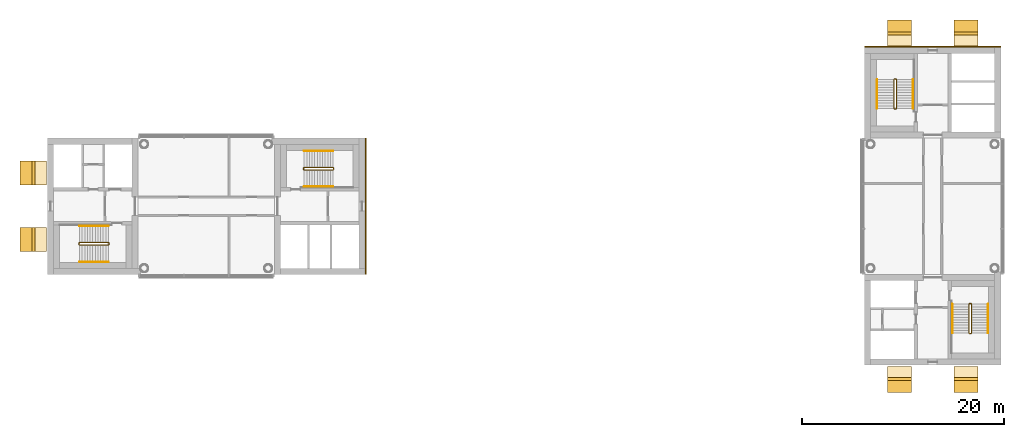
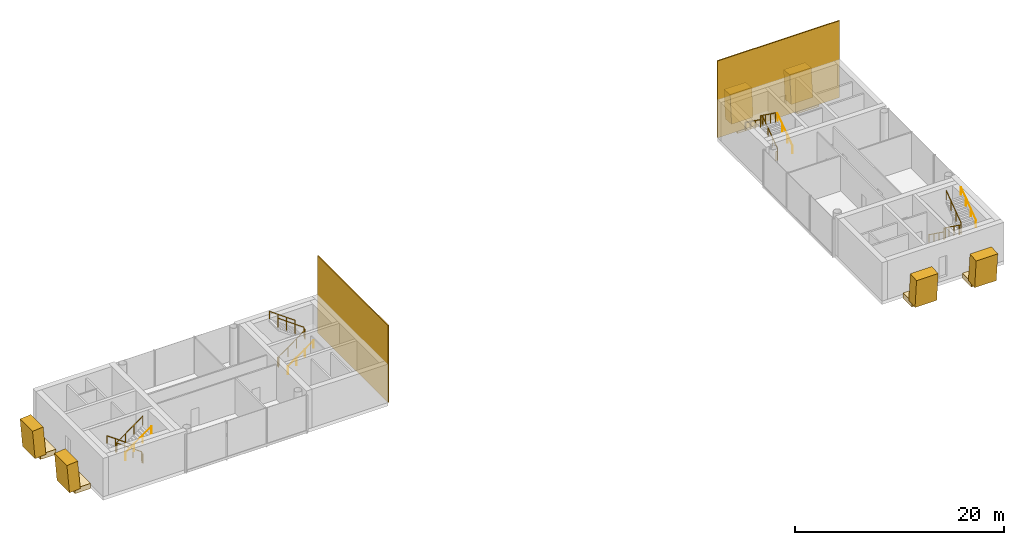
# One storey, part 11 of 11: 14 coverings, 12 railings.
"""IFC4 building model written with IfcOpenShell, lengths in metres."""

from ifc_helpers import new_model, si_unit, direction, frame, origin, origin_2d, place, context, subcontext, project, spatial, rectangle, circle, extrude, material, layer, layer_set, material_profile, profile_set, type_object, element, save


model = new_model("IFC4")

# Units and contexts
model_context = context("Model", 3, precision=1e-05, world=origin(), true_north=direction((0.0, 1.0)))
body_context = subcontext(model_context, "Body", "Model", "MODEL_VIEW")
ifc_project = project(units=[si_unit("LENGTHUNIT", "METRE"), si_unit("AREAUNIT", "SQUARE_METRE"), si_unit("VOLUMEUNIT", "CUBIC_METRE"), si_unit("PLANEANGLEUNIT", "RADIAN"), si_unit("MASSUNIT", "GRAM", prefix="KILO")], contexts=[model_context])

# Site, building, storey
site_placement = place(None, origin())
site = spatial("IfcSite", under=ifc_project, at=site_placement, CompositionType="ELEMENT")
building_placement = place(site_placement, origin())
building = spatial("IfcBuilding", under=site, at=building_placement, Name="Ipe Terrace Towers", CompositionType="ELEMENT")
storey_placement = place(building_placement, frame((0.0, 0.0, 251.39990234375)))
storey = spatial("IfcBuildingStorey", under=building, at=storey_placement, Name="L69", CompositionType="ELEMENT", Elevation=251.39990234375)

# Coverings
ifc_material_1 = material(Name="Concrete C50/60 precast, buff finish", Category="concrete")
ifc_layer = layer(ifc_material_1, 0.1201171875)
ifc_layer_set = layer_set([ifc_layer], Name="STONE CORE CLADDING 120")
covering_type_1 = type_object("IfcCoveringType", Name="STONE CORE CLADDING 120", PredefinedType="CLADDING", material=ifc_layer_set)
for number, where, z_axis, x_axis, name in (
    (1, (-20.18994140625, 0.0, 0.0), (0.0, 0.0, 1.0), (0.0, 1.0, 0.0), "stone core cladding"),
    (2, (36.0, 15.81005859375, 0.0), (0.0, 0.0, 1.0), (-1.0, 0.0, 0.0), "stone core cladding"),
):
    element("IfcCovering", number, at=place(storey_placement, frame(where, z_axis=z_axis, x_axis=x_axis)), inside=storey, type_object=covering_type_1, Name=name, PredefinedType="CLADDING", context=body_context, shape_type="SweptSolid", body=[
        extrude(rectangle(XDim=13.5, YDim=0.1201171875, at=origin_2d()), origin(), (0.0, 0.0, 1.0), 9.0),
    ])
ifc_material_2 = material(Name="Concrete C50/60 precast, buff finish", Category="concrete")
ifc_material_profile = material_profile(ifc_material_2, rectangle(XDim=2.39990234375, YDim=1.199951171875, at=origin_2d()), Name="STONE FIN 2400 x 1200")
ifc_profile_set = profile_set([ifc_material_profile], Name="Concrete C50/60 precast, buff finish")
covering_type_2 = type_object("IfcCoveringType", Name="STONE FIN 2400 x 1200", PredefinedType="USERDEFINED", material=ifc_profile_set)
for number, where, z_axis, x_axis, name in (
    (3, (-53.5849609375, -3.300048828125, 0.0), (-0.086088906683, 0.0, 0.996287458591), (0.0, -1.0, 0.0), "stone fin"),
    (4, (-53.5849609375, 3.300048828125, 0.0), (-0.086088906683, 0.0, 0.996287458591), (0.0, -1.0, 0.0), "stone fin"),
    (5, (32.699951171875, -17.5849609375, 0.0), (0.0, -0.086088906683, 0.996287458591), (1.0, 0.0, 0.0), "stone fin"),
    (6, (32.699951171875, 17.5849609375, 0.0), (0.0, 0.086088906683, 0.996287458591), (-1.0, 0.0, 0.0), "stone fin"),
    (7, (39.300048828125, -17.5849609375, 0.0), (0.0, -0.086088906683, 0.996287458591), (1.0, 0.0, 0.0), "stone fin"),
    (8, (39.300048828125, 17.5849609375, 0.0), (0.0, 0.086088906683, 0.996287458591), (-1.0, 0.0, 0.0), "stone fin"),
):
    element("IfcCovering", number, at=place(storey_placement, frame(where, z_axis=z_axis, x_axis=x_axis)), inside=storey, type_object=covering_type_2, Name=name, ObjectType="FIN", PredefinedType="USERDEFINED", context=body_context, shape_type="SweptSolid", body=[
        extrude(rectangle(XDim=2.39990234375, YDim=1.199951171875, at=origin_2d()), origin(), (0.0, 0.0, 1.0), 3.312255859375),
    ])
ifc_material_3 = material(Name="Concrete C50/60 precast, buff finish", Category="concrete")
covering_type_3 = type_object("IfcCoveringType", Name="STONE FIN SHELF 2400 x 600", PredefinedType="CLADDING", material=ifc_material_3)
for number, where, z_axis, x_axis, name in (
    (9, (-52.722900390625, -3.300048828125, -0.349853515625), (0.0, 0.0, 1.0), (0.0, -1.0, 0.0), "stone fin shelf"),
    (10, (-52.722900390625, 3.300048828125, -0.349853515625), (0.0, 0.0, 1.0), (0.0, -1.0, 0.0), "stone fin shelf"),
    (11, (32.699951171875, -16.722900390625, -0.349853515625), (0.0, 0.0, 1.0), (1.0, 0.0, 0.0), "stone fin shelf"),
    (12, (32.699951171875, 16.722900390625, -0.349853515625), (0.0, 0.0, 1.0), (-1.0, 0.0, 0.0), "stone fin shelf"),
    (13, (39.300048828125, -16.722900390625, -0.349853515625), (0.0, 0.0, 1.0), (1.0, 0.0, 0.0), "stone fin shelf"),
    (14, (39.300048828125, 16.722900390625, -0.349853515625), (0.0, 0.0, 1.0), (-1.0, 0.0, 0.0), "stone fin shelf"),
):
    element("IfcCovering", number, at=place(storey_placement, frame(where, z_axis=z_axis, x_axis=x_axis)), inside=storey, type_object=covering_type_3, Name=name, PredefinedType="CLADDING", context=body_context, shape_type="SweptSolid", body=[
        extrude(rectangle(XDim=2.39990234375, YDim=1.72509765625, at=origin_2d()), origin(), (0.0, 0.0, 1.0), 0.60009765625),
    ])

# Railings
ifc_material_4 = material(Name="Steel S355", Category="steel")
railing_type_1 = type_object("IfcRailingType", Name="Stair guard 1100", PredefinedType="GUARDRAIL", material=ifc_material_4)
railing_1_placement = place(storey_placement, frame((-26.35009765625, 3.800048828125, 0.0)))
element("IfcRailing", 15, at=railing_1_placement, inside=storey, type_object=railing_type_1, Name="L69 T1-ST1 stair guard 1", PredefinedType="GUARDRAIL", context=body_context, shape_type="SweptSolid", body=[
    extrude(circle(Radius=0.02392578125, at=origin_2d()), frame((0.0, 0.0, 1.076171875), z_axis=(0.0, -1.0, 0.0), x_axis=(1.0, 0.0, 0.0)), (0.0, 0.0, 1.0), 0.150146484375),
    extrude(circle(Radius=0.02392578125, at=origin_2d()), frame((0.0, -0.150146484375, 1.076171875), z_axis=(0.249802250048, -0.248583702486, 0.935844527007), x_axis=(0.705375805398, 0.708833529934, 0.0)), (0.0, 0.0, 1.0), 0.200439453125),
    extrude(circle(Radius=0.02392578125, at=origin_2d()), frame((0.050048828125, -0.199951171875, 1.263671875), z_axis=(0.811100754333, 0.0, 0.584906459462), x_axis=(0.0, 1.0, 0.0)), (0.0, 0.0, 1.0), 3.526123046875),
    extrude(circle(Radius=0.02392578125, at=origin_2d()), frame((2.91015625, -0.199951171875, 3.326171875), z_axis=(0.708833529934, 0.705375805398, 0.0), x_axis=(-0.705375805398, 0.708833529934, 0.0)), (0.0, 0.0, 1.0), 0.070556640625),
    extrude(circle(Radius=0.02392578125, at=origin_2d()), frame((2.960205078125, -0.150146484375, 3.326171875), z_axis=(0.0, 1.0, 0.0), x_axis=(-1.0, 0.0, 0.0)), (0.0, 0.0, 1.0), 0.150146484375),
    extrude(circle(Radius=0.02392578125, at=origin_2d()), frame((2.960205078125, 0.0, 3.326171875), z_axis=(-0.249726431254, 0.249726431254, 0.935560483917), x_axis=(-0.707106781187, -0.707106781187, 0.0)), (0.0, 0.0, 1.0), 0.200439453125),
    extrude(circle(Radius=0.02392578125, at=origin_2d()), frame((2.91015625, 0.050048828125, 3.513671875), z_axis=(-0.811100754333, 0.0, 0.584906459462), x_axis=(0.0, -1.0, 0.0)), (0.0, 0.0, 1.0), 3.526123046875),
    extrude(circle(Radius=0.02099609375, at=origin_2d()), origin(), (0.0, 0.0, 1.0), 1.052001953125),
    extrude(circle(Radius=0.02099609375, at=origin_2d()), frame((0.0, -0.150146484375, 0.0)), (0.0, 0.0, 1.0), 1.052001953125),
    extrude(circle(Radius=0.02099609375, at=origin_2d()), frame((0.050048828125, -0.199951171875, 0.1875)), (0.0, 0.0, 1.0), 1.052001953125),
    extrude(circle(Radius=0.02099609375, at=origin_2d()), frame((1.00341796875, -0.199951171875, 0.875)), (0.0, 0.0, 1.0), 1.052001953125),
    extrude(circle(Radius=0.02099609375, at=origin_2d()), frame((1.956787109375, -0.199951171875, 1.5625)), (0.0, 0.0, 1.0), 1.052001953125),
    extrude(circle(Radius=0.02099609375, at=origin_2d()), frame((2.91015625, -0.199951171875, 2.25)), (0.0, 0.0, 1.0), 1.052001953125),
    extrude(circle(Radius=0.02099609375, at=origin_2d()), frame((2.960205078125, -0.150146484375, 2.25)), (0.0, 0.0, 1.0), 1.052001953125),
    extrude(circle(Radius=0.02099609375, at=origin_2d()), frame((2.960205078125, 0.0, 2.25)), (0.0, 0.0, 1.0), 1.052001953125),
    extrude(circle(Radius=0.02099609375, at=origin_2d()), frame((2.91015625, 0.050048828125, 2.4375)), (0.0, 0.0, 1.0), 1.052001953125),
    extrude(circle(Radius=0.02099609375, at=origin_2d()), frame((1.956787109375, 0.050048828125, 3.125)), (0.0, 0.0, 1.0), 1.052001953125),
    extrude(circle(Radius=0.02099609375, at=origin_2d()), frame((1.00341796875, 0.050048828125, 3.8125)), (0.0, 0.0, 1.0), 1.052001953125),
    extrude(circle(Radius=0.02099609375, at=origin_2d()), frame((0.050048828125, 0.050048828125, 4.5)), (0.0, 0.0, 1.0), 1.052001953125),
])
railing_2_placement = place(storey_placement, frame((-45.64990234375, -3.800048828125, 0.0)))
element("IfcRailing", 16, at=railing_2_placement, inside=storey, type_object=railing_type_1, Name="L69 T1-ST2 stair guard 1", PredefinedType="GUARDRAIL", context=body_context, shape_type="SweptSolid", body=[
    extrude(circle(Radius=0.02392578125, at=origin_2d()), frame((0.0, 0.0, 1.076171875), z_axis=(0.0, 1.0, 0.0), x_axis=(-1.0, 0.0, 0.0)), (0.0, 0.0, 1.0), 0.150146484375),
    extrude(circle(Radius=0.02392578125, at=origin_2d()), frame((0.0, 0.150146484375, 1.076171875), z_axis=(-0.249802250048, 0.248583702486, 0.935844527007), x_axis=(-0.705375805398, -0.708833529934, 0.0)), (0.0, 0.0, 1.0), 0.200439453125),
    extrude(circle(Radius=0.02392578125, at=origin_2d()), frame((-0.050048828125, 0.199951171875, 1.263671875), z_axis=(-0.811100754333, 0.0, 0.584906459462), x_axis=(0.0, -1.0, 0.0)), (0.0, 0.0, 1.0), 3.526123046875),
    extrude(circle(Radius=0.02392578125, at=origin_2d()), frame((-2.91015625, 0.199951171875, 3.326171875), z_axis=(-0.708833529934, -0.705375805398, 0.0), x_axis=(0.705375805398, -0.708833529934, 0.0)), (0.0, 0.0, 1.0), 0.070556640625),
    extrude(circle(Radius=0.02392578125, at=origin_2d()), frame((-2.960205078125, 0.150146484375, 3.326171875), z_axis=(0.0, -1.0, 0.0), x_axis=(1.0, 0.0, 0.0)), (0.0, 0.0, 1.0), 0.150146484375),
    extrude(circle(Radius=0.02392578125, at=origin_2d()), frame((-2.960205078125, 0.0, 3.326171875), z_axis=(0.249726431254, -0.249726431254, 0.935560483917), x_axis=(0.707106781187, 0.707106781187, 0.0)), (0.0, 0.0, 1.0), 0.200439453125),
    extrude(circle(Radius=0.02392578125, at=origin_2d()), frame((-2.91015625, -0.050048828125, 3.513671875), z_axis=(0.811100754333, 0.0, 0.584906459462), x_axis=(0.0, 1.0, 0.0)), (0.0, 0.0, 1.0), 3.526123046875),
    extrude(circle(Radius=0.02099609375, at=origin_2d()), origin(), (0.0, 0.0, 1.0), 1.052001953125),
    extrude(circle(Radius=0.02099609375, at=origin_2d()), frame((0.0, 0.150146484375, 0.0)), (0.0, 0.0, 1.0), 1.052001953125),
    extrude(circle(Radius=0.02099609375, at=origin_2d()), frame((-0.050048828125, 0.199951171875, 0.1875)), (0.0, 0.0, 1.0), 1.052001953125),
    extrude(circle(Radius=0.02099609375, at=origin_2d()), frame((-1.00341796875, 0.199951171875, 0.875)), (0.0, 0.0, 1.0), 1.052001953125),
    extrude(circle(Radius=0.02099609375, at=origin_2d()), frame((-1.956787109375, 0.199951171875, 1.5625)), (0.0, 0.0, 1.0), 1.052001953125),
    extrude(circle(Radius=0.02099609375, at=origin_2d()), frame((-2.91015625, 0.199951171875, 2.25)), (0.0, 0.0, 1.0), 1.052001953125),
    extrude(circle(Radius=0.02099609375, at=origin_2d()), frame((-2.960205078125, 0.150146484375, 2.25)), (0.0, 0.0, 1.0), 1.052001953125),
    extrude(circle(Radius=0.02099609375, at=origin_2d()), frame((-2.960205078125, 0.0, 2.25)), (0.0, 0.0, 1.0), 1.052001953125),
    extrude(circle(Radius=0.02099609375, at=origin_2d()), frame((-2.91015625, -0.050048828125, 2.4375)), (0.0, 0.0, 1.0), 1.052001953125),
    extrude(circle(Radius=0.02099609375, at=origin_2d()), frame((-1.956787109375, -0.050048828125, 3.125)), (0.0, 0.0, 1.0), 1.052001953125),
    extrude(circle(Radius=0.02099609375, at=origin_2d()), frame((-1.00341796875, -0.050048828125, 3.8125)), (0.0, 0.0, 1.0), 1.052001953125),
    extrude(circle(Radius=0.02099609375, at=origin_2d()), frame((-0.050048828125, -0.050048828125, 4.5)), (0.0, 0.0, 1.0), 1.052001953125),
])
railing_3_placement = place(storey_placement, frame((32.199951171875, 9.64990234375, 0.0)))
element("IfcRailing", 17, at=railing_3_placement, inside=storey, type_object=railing_type_1, Name="L69 T2-ST1 stair guard 1", PredefinedType="GUARDRAIL", context=body_context, shape_type="SweptSolid", body=[
    extrude(circle(Radius=0.02392578125, at=origin_2d()), frame((0.0, 0.0, 1.076171875), z_axis=(1.0, 0.0, 0.0), x_axis=(0.0, 1.0, 0.0)), (0.0, 0.0, 1.0), 0.150146484375),
    extrude(circle(Radius=0.02392578125, at=origin_2d()), frame((0.150146484375, 0.0, 1.076171875), z_axis=(0.248583702486, 0.249802250048, 0.935844527007), x_axis=(-0.708833529934, 0.705375805398, 0.0)), (0.0, 0.0, 1.0), 0.200439453125),
    extrude(circle(Radius=0.02392578125, at=origin_2d()), frame((0.199951171875, 0.050048828125, 1.263671875), z_axis=(0.0, 0.811100754333, 0.584906459462), x_axis=(-1.0, 0.0, 0.0)), (0.0, 0.0, 1.0), 3.526123046875),
    extrude(circle(Radius=0.02392578125, at=origin_2d()), frame((0.199951171875, 2.91015625, 3.326171875), z_axis=(-0.705375805398, 0.708833529934, 0.0), x_axis=(-0.708833529934, -0.705375805398, 0.0)), (0.0, 0.0, 1.0), 0.070556640625),
    extrude(circle(Radius=0.02392578125, at=origin_2d()), frame((0.150146484375, 2.960205078125, 3.326171875), z_axis=(-1.0, 0.0, 0.0), x_axis=(0.0, -1.0, 0.0)), (0.0, 0.0, 1.0), 0.150146484375),
    extrude(circle(Radius=0.02392578125, at=origin_2d()), frame((0.0, 2.960205078125, 3.326171875), z_axis=(-0.249726431254, -0.249726431254, 0.935560483917), x_axis=(0.707106781187, -0.707106781187, 0.0)), (0.0, 0.0, 1.0), 0.200439453125),
    extrude(circle(Radius=0.02392578125, at=origin_2d()), frame((-0.050048828125, 2.91015625, 3.513671875), z_axis=(0.0, -0.811100754333, 0.584906459462), x_axis=(1.0, 0.0, 0.0)), (0.0, 0.0, 1.0), 3.526123046875),
    extrude(circle(Radius=0.02099609375, at=origin_2d()), origin(), (0.0, 0.0, 1.0), 1.052001953125),
    extrude(circle(Radius=0.02099609375, at=origin_2d()), frame((0.150146484375, 0.0, 0.0)), (0.0, 0.0, 1.0), 1.052001953125),
    extrude(circle(Radius=0.02099609375, at=origin_2d()), frame((0.199951171875, 0.050048828125, 0.1875)), (0.0, 0.0, 1.0), 1.052001953125),
    extrude(circle(Radius=0.02099609375, at=origin_2d()), frame((0.199951171875, 1.00341796875, 0.875)), (0.0, 0.0, 1.0), 1.052001953125),
    extrude(circle(Radius=0.02099609375, at=origin_2d()), frame((0.199951171875, 1.956787109375, 1.5625)), (0.0, 0.0, 1.0), 1.052001953125),
    extrude(circle(Radius=0.02099609375, at=origin_2d()), frame((0.199951171875, 2.91015625, 2.25)), (0.0, 0.0, 1.0), 1.052001953125),
    extrude(circle(Radius=0.02099609375, at=origin_2d()), frame((0.150146484375, 2.960205078125, 2.25)), (0.0, 0.0, 1.0), 1.052001953125),
    extrude(circle(Radius=0.02099609375, at=origin_2d()), frame((0.0, 2.960205078125, 2.25)), (0.0, 0.0, 1.0), 1.052001953125),
    extrude(circle(Radius=0.02099609375, at=origin_2d()), frame((-0.050048828125, 2.91015625, 2.4375)), (0.0, 0.0, 1.0), 1.052001953125),
    extrude(circle(Radius=0.02099609375, at=origin_2d()), frame((-0.050048828125, 1.956787109375, 3.125)), (0.0, 0.0, 1.0), 1.052001953125),
    extrude(circle(Radius=0.02099609375, at=origin_2d()), frame((-0.050048828125, 1.00341796875, 3.8125)), (0.0, 0.0, 1.0), 1.052001953125),
    extrude(circle(Radius=0.02099609375, at=origin_2d()), frame((-0.050048828125, 0.050048828125, 4.5)), (0.0, 0.0, 1.0), 1.052001953125),
])
railing_4_placement = place(storey_placement, frame((39.800048828125, -9.64990234375, 0.0)))
element("IfcRailing", 18, at=railing_4_placement, inside=storey, type_object=railing_type_1, Name="L69 T2-ST2 stair guard 1", PredefinedType="GUARDRAIL", context=body_context, shape_type="SweptSolid", body=[
    extrude(circle(Radius=0.02392578125, at=origin_2d()), frame((0.0, 0.0, 1.076171875), z_axis=(-1.0, 0.0, 0.0), x_axis=(0.0, -1.0, 0.0)), (0.0, 0.0, 1.0), 0.150146484375),
    extrude(circle(Radius=0.02392578125, at=origin_2d()), frame((-0.150146484375, 0.0, 1.076171875), z_axis=(-0.248583702486, -0.249802250048, 0.935844527007), x_axis=(0.708833529934, -0.705375805398, 0.0)), (0.0, 0.0, 1.0), 0.200439453125),
    extrude(circle(Radius=0.02392578125, at=origin_2d()), frame((-0.199951171875, -0.050048828125, 1.263671875), z_axis=(0.0, -0.811100754333, 0.584906459462), x_axis=(1.0, 0.0, 0.0)), (0.0, 0.0, 1.0), 3.526123046875),
    extrude(circle(Radius=0.02392578125, at=origin_2d()), frame((-0.199951171875, -2.91015625, 3.326171875), z_axis=(0.705375805398, -0.708833529934, 0.0), x_axis=(0.708833529934, 0.705375805398, 0.0)), (0.0, 0.0, 1.0), 0.070556640625),
    extrude(circle(Radius=0.02392578125, at=origin_2d()), frame((-0.150146484375, -2.960205078125, 3.326171875), z_axis=(1.0, 0.0, 0.0), x_axis=(0.0, 1.0, 0.0)), (0.0, 0.0, 1.0), 0.150146484375),
    extrude(circle(Radius=0.02392578125, at=origin_2d()), frame((0.0, -2.960205078125, 3.326171875), z_axis=(0.249726431254, 0.249726431254, 0.935560483917), x_axis=(-0.707106781187, 0.707106781187, 0.0)), (0.0, 0.0, 1.0), 0.200439453125),
    extrude(circle(Radius=0.02392578125, at=origin_2d()), frame((0.050048828125, -2.91015625, 3.513671875), z_axis=(0.0, 0.811100754333, 0.584906459462), x_axis=(-1.0, 0.0, 0.0)), (0.0, 0.0, 1.0), 3.526123046875),
    extrude(circle(Radius=0.02099609375, at=origin_2d()), origin(), (0.0, 0.0, 1.0), 1.052001953125),
    extrude(circle(Radius=0.02099609375, at=origin_2d()), frame((-0.150146484375, 0.0, 0.0)), (0.0, 0.0, 1.0), 1.052001953125),
    extrude(circle(Radius=0.02099609375, at=origin_2d()), frame((-0.199951171875, -0.050048828125, 0.1875)), (0.0, 0.0, 1.0), 1.052001953125),
    extrude(circle(Radius=0.02099609375, at=origin_2d()), frame((-0.199951171875, -1.00341796875, 0.875)), (0.0, 0.0, 1.0), 1.052001953125),
    extrude(circle(Radius=0.02099609375, at=origin_2d()), frame((-0.199951171875, -1.956787109375, 1.5625)), (0.0, 0.0, 1.0), 1.052001953125),
    extrude(circle(Radius=0.02099609375, at=origin_2d()), frame((-0.199951171875, -2.91015625, 2.25)), (0.0, 0.0, 1.0), 1.052001953125),
    extrude(circle(Radius=0.02099609375, at=origin_2d()), frame((-0.150146484375, -2.960205078125, 2.25)), (0.0, 0.0, 1.0), 1.052001953125),
    extrude(circle(Radius=0.02099609375, at=origin_2d()), frame((0.0, -2.960205078125, 2.25)), (0.0, 0.0, 1.0), 1.052001953125),
    extrude(circle(Radius=0.02099609375, at=origin_2d()), frame((0.050048828125, -2.91015625, 2.4375)), (0.0, 0.0, 1.0), 1.052001953125),
    extrude(circle(Radius=0.02099609375, at=origin_2d()), frame((0.050048828125, -1.956787109375, 3.125)), (0.0, 0.0, 1.0), 1.052001953125),
    extrude(circle(Radius=0.02099609375, at=origin_2d()), frame((0.050048828125, -1.00341796875, 3.8125)), (0.0, 0.0, 1.0), 1.052001953125),
    extrude(circle(Radius=0.02099609375, at=origin_2d()), frame((0.050048828125, -0.050048828125, 4.5)), (0.0, 0.0, 1.0), 1.052001953125),
])
ifc_material_5 = material(Name="Stainless steel grade 304", Category="steel")
railing_type_2 = type_object("IfcRailingType", Name="Stair handrail 900", PredefinedType="HANDRAIL", material=ifc_material_5)
railing_5_placement = place(storey_placement, frame((-26.300048828125, 1.949951171875, 0.1875)))
element("IfcRailing", 19, at=railing_5_placement, inside=storey, type_object=railing_type_2, Name="L69 T1-ST1 stair handrail 1", PredefinedType="HANDRAIL", context=body_context, shape_type="SweptSolid", body=[
    extrude(circle(Radius=0.02392578125, at=origin_2d()), frame((0.0, 0.0, 0.8759765625), z_axis=(0.811100754333, 0.0, 0.584906459462), x_axis=(0.0, 1.0, 0.0)), (0.0, 0.0, 1.0), 3.526123046875),
    extrude(circle(Radius=0.02099609375, at=origin_2d()), origin(), (0.0, 0.0, 1.0), 0.851806640625),
    extrude(circle(Radius=0.02099609375, at=origin_2d()), frame((0.953369140625, 0.0, 0.6875)), (0.0, 0.0, 1.0), 0.851806640625),
    extrude(circle(Radius=0.02099609375, at=origin_2d()), frame((1.90673828125, 0.0, 1.375)), (0.0, 0.0, 1.0), 0.851806640625),
    extrude(circle(Radius=0.02099609375, at=origin_2d()), frame((2.860107421875, 0.0, 2.0625)), (0.0, 0.0, 1.0), 0.851806640625),
])
for number, where, name in (
    (20, (-23.43994140625, 5.5, 2.4375), "L69 T1-ST1 stair handrail 2"),
    (21, (-45.699951171875, -1.949951171875, 0.1875), "L69 T1-ST2 stair handrail 1"),
):
    element("IfcRailing", number, at=place(storey_placement, frame(where)), inside=storey, type_object=railing_type_2, Name=name, PredefinedType="HANDRAIL", context=body_context, shape_type="SweptSolid", body=[
        extrude(circle(Radius=0.02392578125, at=origin_2d()), frame((0.0, 0.0, 0.8759765625), z_axis=(-0.811100754333, 0.0, 0.584906459462), x_axis=(0.0, -1.0, 0.0)), (0.0, 0.0, 1.0), 3.526123046875),
        extrude(circle(Radius=0.02099609375, at=origin_2d()), origin(), (0.0, 0.0, 1.0), 0.851806640625),
        extrude(circle(Radius=0.02099609375, at=origin_2d()), frame((-0.953369140625, 0.0, 0.6875)), (0.0, 0.0, 1.0), 0.851806640625),
        extrude(circle(Radius=0.02099609375, at=origin_2d()), frame((-1.90673828125, 0.0, 1.375)), (0.0, 0.0, 1.0), 0.851806640625),
        extrude(circle(Radius=0.02099609375, at=origin_2d()), frame((-2.860107421875, 0.0, 2.0625)), (0.0, 0.0, 1.0), 0.851806640625),
    ])
railing_6_placement = place(storey_placement, frame((-48.56005859375, -5.5, 2.4375)))
element("IfcRailing", 22, at=railing_6_placement, inside=storey, type_object=railing_type_2, Name="L69 T1-ST2 stair handrail 2", PredefinedType="HANDRAIL", context=body_context, shape_type="SweptSolid", body=[
    extrude(circle(Radius=0.02392578125, at=origin_2d()), frame((0.0, 0.0, 0.8759765625), z_axis=(0.811100754333, 0.0, 0.584906459462), x_axis=(0.0, 1.0, 0.0)), (0.0, 0.0, 1.0), 3.526123046875),
    extrude(circle(Radius=0.02099609375, at=origin_2d()), origin(), (0.0, 0.0, 1.0), 0.851806640625),
    extrude(circle(Radius=0.02099609375, at=origin_2d()), frame((0.953369140625, 0.0, 0.6875)), (0.0, 0.0, 1.0), 0.851806640625),
    extrude(circle(Radius=0.02099609375, at=origin_2d()), frame((1.90673828125, 0.0, 1.375)), (0.0, 0.0, 1.0), 0.851806640625),
    extrude(circle(Radius=0.02099609375, at=origin_2d()), frame((2.860107421875, 0.0, 2.0625)), (0.0, 0.0, 1.0), 0.851806640625),
])
railing_7_placement = place(storey_placement, frame((34.050048828125, 9.699951171875, 0.1875)))
element("IfcRailing", 23, at=railing_7_placement, inside=storey, type_object=railing_type_2, Name="L69 T2-ST1 stair handrail 1", PredefinedType="HANDRAIL", context=body_context, shape_type="SweptSolid", body=[
    extrude(circle(Radius=0.02392578125, at=origin_2d()), frame((0.0, 0.0, 0.8759765625), z_axis=(0.0, 0.811100754333, 0.584906459462), x_axis=(-1.0, 0.0, 0.0)), (0.0, 0.0, 1.0), 3.526123046875),
    extrude(circle(Radius=0.02099609375, at=origin_2d()), origin(), (0.0, 0.0, 1.0), 0.851806640625),
    extrude(circle(Radius=0.02099609375, at=origin_2d()), frame((0.0, 0.953369140625, 0.6875)), (0.0, 0.0, 1.0), 0.851806640625),
    extrude(circle(Radius=0.02099609375, at=origin_2d()), frame((0.0, 1.90673828125, 1.375)), (0.0, 0.0, 1.0), 0.851806640625),
    extrude(circle(Radius=0.02099609375, at=origin_2d()), frame((0.0, 2.860107421875, 2.0625)), (0.0, 0.0, 1.0), 0.851806640625),
])
for number, where, name in (
    (24, (30.5, 12.56005859375, 2.4375), "L69 T2-ST1 stair handrail 2"),
    (25, (37.949951171875, -9.699951171875, 0.1875), "L69 T2-ST2 stair handrail 1"),
):
    element("IfcRailing", number, at=place(storey_placement, frame(where)), inside=storey, type_object=railing_type_2, Name=name, PredefinedType="HANDRAIL", context=body_context, shape_type="SweptSolid", body=[
        extrude(circle(Radius=0.02392578125, at=origin_2d()), frame((0.0, 0.0, 0.8759765625), z_axis=(0.0, -0.811100754333, 0.584906459462), x_axis=(1.0, 0.0, 0.0)), (0.0, 0.0, 1.0), 3.526123046875),
        extrude(circle(Radius=0.02099609375, at=origin_2d()), origin(), (0.0, 0.0, 1.0), 0.851806640625),
        extrude(circle(Radius=0.02099609375, at=origin_2d()), frame((0.0, -0.953369140625, 0.6875)), (0.0, 0.0, 1.0), 0.851806640625),
        extrude(circle(Radius=0.02099609375, at=origin_2d()), frame((0.0, -1.90673828125, 1.375)), (0.0, 0.0, 1.0), 0.851806640625),
        extrude(circle(Radius=0.02099609375, at=origin_2d()), frame((0.0, -2.860107421875, 2.0625)), (0.0, 0.0, 1.0), 0.851806640625),
    ])
railing_8_placement = place(storey_placement, frame((41.5, -12.56005859375, 2.4375)))
element("IfcRailing", 26, at=railing_8_placement, inside=storey, type_object=railing_type_2, Name="L69 T2-ST2 stair handrail 2", PredefinedType="HANDRAIL", context=body_context, shape_type="SweptSolid", body=[
    extrude(circle(Radius=0.02392578125, at=origin_2d()), frame((0.0, 0.0, 0.8759765625), z_axis=(0.0, 0.811100754333, 0.584906459462), x_axis=(-1.0, 0.0, 0.0)), (0.0, 0.0, 1.0), 3.526123046875),
    extrude(circle(Radius=0.02099609375, at=origin_2d()), origin(), (0.0, 0.0, 1.0), 0.851806640625),
    extrude(circle(Radius=0.02099609375, at=origin_2d()), frame((0.0, 0.953369140625, 0.6875)), (0.0, 0.0, 1.0), 0.851806640625),
    extrude(circle(Radius=0.02099609375, at=origin_2d()), frame((0.0, 1.90673828125, 1.375)), (0.0, 0.0, 1.0), 0.851806640625),
    extrude(circle(Radius=0.02099609375, at=origin_2d()), frame((0.0, 2.860107421875, 2.0625)), (0.0, 0.0, 1.0), 0.851806640625),
])

save(model, "model.ifc")
